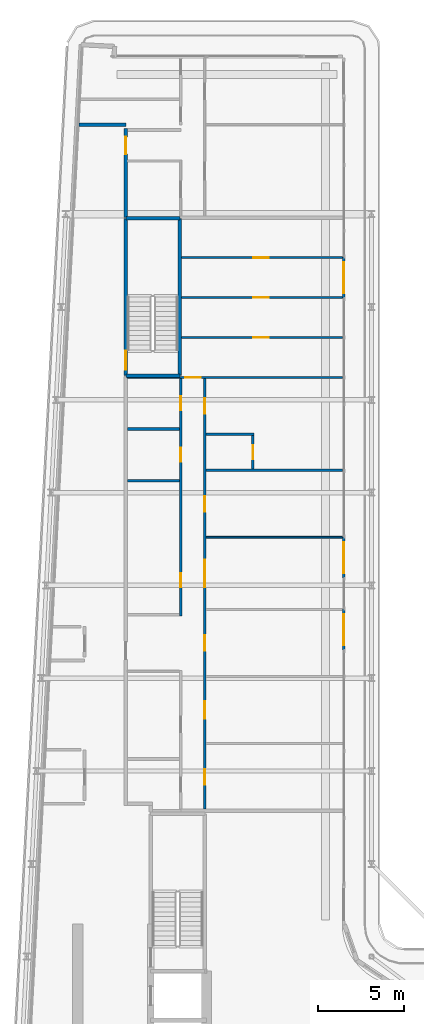
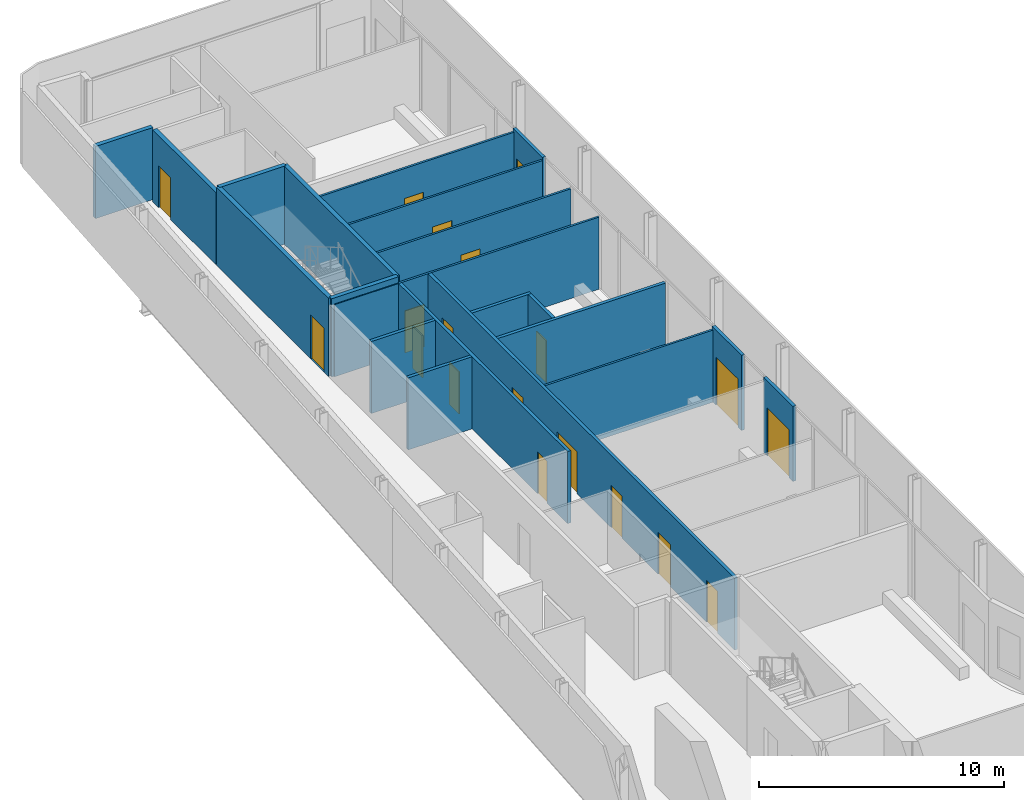
# One storey, part 14 of 21: 21 walls, 19 doors, 19 openings.
"""IFC4 building model written with IfcOpenShell, lengths in metres."""

from ifc_helpers import new_model, si_unit, direction, frame, frame_2d, origin, place, context, subcontext, project, spatial, rectangle, extrude, source, transform, mapped, material, layer, layer_set, type_object, element, fill, save


model = new_model("IFC4")

# Units and contexts
model_context = context("Model", 3, precision=1e-05, world=origin(), true_north=direction((0.0, 1.0)))
body_context = subcontext(model_context, "Body", "Model", "MODEL_VIEW")
ifc_project = project(units=[si_unit("LENGTHUNIT", "METRE"), si_unit("AREAUNIT", "SQUARE_METRE"), si_unit("VOLUMEUNIT", "CUBIC_METRE"), si_unit("PLANEANGLEUNIT", "RADIAN"), si_unit("MASSUNIT", "GRAM", prefix="KILO")], contexts=[model_context])

# Site, building, storey
site_placement = place(None, origin())
site = spatial("IfcSite", under=ifc_project, at=site_placement, CompositionType="ELEMENT")
building_placement = place(site_placement, origin())
building = spatial("IfcBuilding", under=site, at=building_placement, Name="Kheshtan School and Residences Tower", CompositionType="ELEMENT")
storey_placement = place(building_placement, frame((0.0, 0.0, 317.60009765625)))
storey = spatial("IfcBuildingStorey", under=building, at=storey_placement, Name="L75", CompositionType="ELEMENT", Elevation=317.60009765625)

# Wall
ifc_material_1 = material(Name="Gypsum board on steel studs with fire boards", Category="steel")
ifc_layer_1 = layer(ifc_material_1, 0.199951171875)
ifc_layer_set_1 = layer_set([ifc_layer_1], Name="Corridor wall 200")
wall_type_1 = type_object("IfcWallType", Name="Corridor wall 200", PredefinedType="PARTITIONING", material=ifc_layer_set_1)
wall_1_placement = place(storey_placement, frame((30.584716796875, 94.0, 0.0), z_axis=(0.0, 0.0, 1.0), x_axis=(1.0, 0.0, 0.0)))
element("IfcWall", 1, at=wall_1_placement, inside=storey, type_object=wall_type_1, Name="Partition L75-002", PredefinedType="PARTITIONING", context=body_context, shape_type="SweptSolid", body=[
    extrude(rectangle(XDim=2.71533203125, YDim=0.199951171875, at=frame_2d((1.357666015625, 0.0))), origin(), (0.0, 0.0, 1.0), 3.599853515625),
])

# Wall, opening, door
wall_2_placement = place(storey_placement, frame((33.300048828125, 88.60009765625, 0.0), z_axis=(0.0, 0.0, 1.0), x_axis=(0.0, 1.0, 0.0)))
wall_2 = element("IfcWall", 2, at=wall_2_placement, inside=storey, type_object=wall_type_1, Name="Partition L75-004", PredefinedType="PARTITIONING", context=body_context, shape_type="SweptSolid", body=[
    extrude(rectangle(XDim=5.1748046875, YDim=0.199951171875, at=frame_2d((2.58740234375, 0.0))), origin(), (0.0, 0.0, 1.0), 3.599853515625),
])
opening_1_placement = place(wall_2_placement, frame((3.699951171875, 0.0, 0.0)))
opening_1 = element("IfcOpeningElement", 3, at=opening_1_placement, cuts=wall_2, Name="Opening D75-028", PredefinedType="OPENING", context=body_context, shape_type="SweptSolid", body=[
    extrude(rectangle(XDim=1.0, YDim=2.10009765625, at=frame_2d((0.5, 1.050048828125))), frame((0.0, 0.10986328125, 0.0), z_axis=(0.0, -1.0, 0.0), x_axis=(1.0, 0.0, 0.0)), (0.0, 0.0, 1.0), 0.219970703125),
])
ifc_material_2 = material(Name="Steel-framed fire-resisting door leaf", Category="steel")
door_type_1 = type_object("IfcDoorType", Name="Fire door FD30S 1000 x 2100", OperationType="SINGLE_SWING_LEFT", PredefinedType="DOOR", material=ifc_material_2)
shared_shape_1 = source(origin(), body_context, "Body", "SweptSolid", [
    extrude(rectangle(XDim=1.0, YDim=2.10009765625, at=frame_2d((0.5, 1.050048828125))), frame((0.0, 0.02490234375, 0.0), z_axis=(0.0, -1.0, 0.0), x_axis=(1.0, 0.0, 0.0)), (0.0, 0.0, 1.0), 0.050048828125),
])
door_1_placement = place(opening_1_placement, origin())
door_1 = element("IfcDoor", 4, at=door_1_placement, inside=storey, type_object=door_type_1, Name="Door D75-028", OperationType="SINGLE_SWING_RIGHT", OverallHeight=2.10009765625, OverallWidth=1.0, PredefinedType="DOOR", context=body_context, shape_type="MappedRepresentation", body=[
    mapped(shared_shape_1, transform((0.0, 0.0, 0.0), x_axis=(1.0, 0.0, 0.0), y_axis=(0.0, 1.0, 0.0), z_axis=(0.0, 0.0, 1.0), scale=1.0)),
])
fill(opening_1, door_1)

ifc_material_3 = material(Name="Aluminium frame wall with insulated infill", Category="aluminium")
ifc_layer_2 = layer(ifc_material_3, 0.14990234375)
ifc_layer_set_2 = layer_set([ifc_layer_2], Name="Glazing frame wall 150")
wall_type_2 = type_object("IfcWallType", Name="Glazing frame wall 150", PredefinedType="SOLIDWALL", material=ifc_layer_set_2)
wall_3_placement = place(storey_placement, frame((45.97509765625, 86.305908203125, 0.0), z_axis=(0.0, 0.0, 1.0), x_axis=(0.0, -1.0, 0.0)))
wall_3 = element("IfcWall", 5, at=wall_3_placement, inside=storey, type_object=wall_type_2, Name="Balcony door wall L75 8.2", PredefinedType="SOLIDWALL", context=body_context, shape_type="SweptSolid", body=[
    extrude(rectangle(XDim=2.39990234375, YDim=0.14990234375, at=frame_2d((1.199951171875, 0.0))), origin(), (0.0, 0.0, 1.0), 3.75),
])
opening_2_placement = place(wall_3_placement, frame((0.300048828125, 0.0, 0.0)))
opening_2 = element("IfcOpeningElement", 6, at=opening_2_placement, cuts=wall_3, Name="Opening BD", PredefinedType="OPENING", context=body_context, shape_type="SweptSolid", body=[
    extrude(rectangle(XDim=1.800048828125, YDim=2.39990234375, at=frame_2d((0.89990234375, 1.199951171875))), frame((0.0, 0.0849609375, 0.0), z_axis=(0.0, -1.0, 0.0), x_axis=(1.0, 0.0, 0.0)), (0.0, 0.0, 1.0), 0.169921875),
])
ifc_material_4 = material(Name="Clear low-e glass in thermally broken aluminium frame", Category="aluminium")
door_type_2 = type_object("IfcDoorType", Name="Balcony sliding door", OperationType="SLIDING_TO_LEFT", PredefinedType="DOOR", material=ifc_material_4)
shared_shape_2 = source(origin(), body_context, "Body", "SweptSolid", [
    extrude(rectangle(XDim=1.800048828125, YDim=2.39990234375, at=frame_2d((0.89990234375, 1.199951171875))), frame((0.0, 0.02490234375, 0.0), z_axis=(0.0, -1.0, 0.0), x_axis=(1.0, 0.0, 0.0)), (0.0, 0.0, 1.0), 0.050048828125),
])
door_2_placement = place(opening_2_placement, origin())
door_2 = element("IfcDoor", 7, at=door_2_placement, inside=storey, type_object=door_type_2, Name="Balcony door L75 8.2", OperationType="SLIDING_TO_LEFT", OverallHeight=2.39990234375, OverallWidth=1.800048828125, PredefinedType="DOOR", context=body_context, shape_type="MappedRepresentation", body=[
    mapped(shared_shape_2, transform((0.0, 0.0, 0.0), x_axis=(1.0, 0.0, 0.0), y_axis=(0.0, 1.0, 0.0), z_axis=(0.0, 0.0, 1.0), scale=1.0)),
])
fill(opening_2, door_2)

wall_4_placement = place(storey_placement, frame((45.97509765625, 70.01806640625, 0.0), z_axis=(0.0, 0.0, 1.0), x_axis=(0.0, -1.0, 0.0)))
wall_4 = element("IfcWall", 8, at=wall_4_placement, inside=storey, type_object=wall_type_2, Name="Balcony door wall L75 8.3", PredefinedType="SOLIDWALL", context=body_context, shape_type="SweptSolid", body=[
    extrude(rectangle(XDim=2.400146484375, YDim=0.14990234375, at=frame_2d((1.2001953125, 0.0))), origin(), (0.0, 0.0, 1.0), 3.75),
])
opening_3_placement = place(wall_4_placement, frame((0.300048828125, 0.0, 0.0)))
opening_3 = element("IfcOpeningElement", 9, at=opening_3_placement, cuts=wall_4, Name="Opening BD", PredefinedType="OPENING", context=body_context, shape_type="SweptSolid", body=[
    extrude(rectangle(XDim=1.800048828125, YDim=2.39990234375, at=frame_2d((0.89990234375, 1.199951171875))), frame((0.0, 0.0849609375, 0.0), z_axis=(0.0, -1.0, 0.0), x_axis=(1.0, 0.0, 0.0)), (0.0, 0.0, 1.0), 0.169921875),
])
door_3_placement = place(opening_3_placement, origin())
door_3 = element("IfcDoor", 10, at=door_3_placement, inside=storey, type_object=door_type_2, Name="Balcony door L75 8.3", OperationType="SLIDING_TO_LEFT", OverallHeight=2.39990234375, OverallWidth=1.800048828125, PredefinedType="DOOR", context=body_context, shape_type="MappedRepresentation", body=[
    mapped(shared_shape_2, transform((0.0, 0.0, 0.0), x_axis=(1.0, 0.0, 0.0), y_axis=(0.0, 1.0, 0.0), z_axis=(0.0, 0.0, 1.0), scale=1.0)),
])
fill(opening_3, door_3)

wall_5_placement = place(storey_placement, frame((45.97509765625, 65.818115234375, 0.0), z_axis=(0.0, 0.0, 1.0), x_axis=(0.0, -1.0, 0.0)))
wall_5 = element("IfcWall", 11, at=wall_5_placement, inside=storey, type_object=wall_type_2, Name="Balcony door wall L75 8.4", PredefinedType="SOLIDWALL", context=body_context, shape_type="SweptSolid", body=[
    extrude(rectangle(XDim=2.400146484375, YDim=0.14990234375, at=frame_2d((1.2001953125, 0.0))), origin(), (0.0, 0.0, 1.0), 3.75),
])
opening_4_placement = place(wall_5_placement, frame((0.300048828125, 0.0, 0.0)))
opening_4 = element("IfcOpeningElement", 12, at=opening_4_placement, cuts=wall_5, Name="Opening BD", PredefinedType="OPENING", context=body_context, shape_type="SweptSolid", body=[
    extrude(rectangle(XDim=1.800048828125, YDim=2.39990234375, at=frame_2d((0.89990234375, 1.199951171875))), frame((0.0, 0.0849609375, 0.0), z_axis=(0.0, -1.0, 0.0), x_axis=(1.0, 0.0, 0.0)), (0.0, 0.0, 1.0), 0.169921875),
])
door_4_placement = place(opening_4_placement, origin())
door_4 = element("IfcDoor", 13, at=door_4_placement, inside=storey, type_object=door_type_2, Name="Balcony door L75 8.4", OperationType="SLIDING_TO_LEFT", OverallHeight=2.39990234375, OverallWidth=1.800048828125, PredefinedType="DOOR", context=body_context, shape_type="MappedRepresentation", body=[
    mapped(shared_shape_2, transform((0.0, 0.0, 0.0), x_axis=(1.0, 0.0, 0.0), y_axis=(0.0, 1.0, 0.0), z_axis=(0.0, 0.0, 1.0), scale=1.0)),
])
fill(opening_4, door_4)

ifc_material_5 = material(Name="Gypsum board on steel studs", Category="steel")
ifc_layer_3 = layer(ifc_material_5, 0.10009765625)
ifc_layer_set_3 = layer_set([ifc_layer_3], Name="Gypsum partition 100")
wall_type_3 = type_object("IfcWallType", Name="Gypsum partition 100", PredefinedType="PARTITIONING", material=ifc_layer_set_3)
wall_6_placement = place(storey_placement, frame((33.39990234375, 79.300048828125, 0.0), z_axis=(0.0, 0.0, 1.0), x_axis=(1.0, 0.0, 0.0)))
wall_6 = element("IfcWall", 14, at=wall_6_placement, inside=storey, type_object=wall_type_3, Name="Partition L75-011", PredefinedType="PARTITIONING", context=body_context, shape_type="SweptSolid", body=[
    extrude(rectangle(XDim=12.5, YDim=0.10009765625, at=frame_2d((6.25, 0.0))), origin(), (0.0, 0.0, 1.0), 3.599853515625),
])
opening_5_placement = place(wall_6_placement, frame((3.35498046875, 0.0, 0.0)))
opening_5 = element("IfcOpeningElement", 15, at=opening_5_placement, cuts=wall_6, Name="Opening D75-022", PredefinedType="OPENING", context=body_context, shape_type="SweptSolid", body=[
    extrude(rectangle(XDim=0.89990234375, YDim=2.10009765625, at=frame_2d((0.449951171875, 1.050048828125))), frame((0.0, 0.06005859375, 0.0), z_axis=(0.0, -1.0, 0.0), x_axis=(1.0, 0.0, 0.0)), (0.0, 0.0, 1.0), 0.1201171875),
])
ifc_material_6 = material(Name="Veneered timber door leaf", Category="wood")
door_type_3 = type_object("IfcDoorType", Name="Door 900 x 2100", OperationType="SINGLE_SWING_LEFT", PredefinedType="DOOR", material=ifc_material_6)
shared_shape_3 = source(origin(), body_context, "Body", "SweptSolid", [
    extrude(rectangle(XDim=0.89990234375, YDim=2.10009765625, at=frame_2d((0.449951171875, 1.050048828125))), frame((0.0, 0.02490234375, 0.0), z_axis=(0.0, -1.0, 0.0), x_axis=(1.0, 0.0, 0.0)), (0.0, 0.0, 1.0), 0.050048828125),
])
door_5_placement = place(opening_5_placement, origin())
door_5 = element("IfcDoor", 16, at=door_5_placement, inside=storey, type_object=door_type_3, Name="Door D75-022", OperationType="SINGLE_SWING_LEFT", OverallHeight=2.10009765625, OverallWidth=0.89990234375, PredefinedType="DOOR", context=body_context, shape_type="MappedRepresentation", body=[
    mapped(shared_shape_3, transform((0.0, 0.0, 0.0), x_axis=(1.0, 0.0, 0.0), y_axis=(0.0, 1.0, 0.0), z_axis=(0.0, 0.0, 1.0), scale=1.0)),
])
fill(opening_5, door_5)

wall_7_placement = place(storey_placement, frame((36.549072265625, 81.625, 0.0), z_axis=(0.0, 0.0, 1.0), x_axis=(1.0, 0.0, 0.0)))
wall_7 = element("IfcWall", 17, at=wall_7_placement, inside=storey, type_object=wall_type_3, Name="Partition L75-022", PredefinedType="PARTITIONING", context=body_context, shape_type="SweptSolid", body=[
    extrude(rectangle(XDim=9.350830078125, YDim=0.10009765625, at=frame_2d((4.67529296875, 0.0))), origin(), (0.0, 0.0, 1.0), 3.599853515625),
])
opening_6_placement = place(wall_7_placement, frame((4.176025390625, 0.0, 0.0)))
opening_6 = element("IfcOpeningElement", 18, at=opening_6_placement, cuts=wall_7, Name="Opening D75-023", PredefinedType="OPENING", context=body_context, shape_type="SweptSolid", body=[
    extrude(rectangle(XDim=0.89990234375, YDim=2.10009765625, at=frame_2d((0.449951171875, 1.050048828125))), frame((0.0, 0.06005859375, 0.0), z_axis=(0.0, -1.0, 0.0), x_axis=(1.0, 0.0, 0.0)), (0.0, 0.0, 1.0), 0.1201171875),
])
door_6_placement = place(opening_6_placement, origin())
door_6 = element("IfcDoor", 19, at=door_6_placement, inside=storey, type_object=door_type_3, Name="Door D75-023", OperationType="SINGLE_SWING_RIGHT", OverallHeight=2.10009765625, OverallWidth=0.89990234375, PredefinedType="DOOR", context=body_context, shape_type="MappedRepresentation", body=[
    mapped(shared_shape_3, transform((0.0, 0.0, 0.0), x_axis=(1.0, 0.0, 0.0), y_axis=(0.0, 1.0, 0.0), z_axis=(0.0, 0.0, 1.0), scale=1.0)),
])
fill(opening_6, door_6)

wall_8_placement = place(storey_placement, frame((36.549072265625, 83.949951171875, 0.0), z_axis=(0.0, 0.0, 1.0), x_axis=(1.0, 0.0, 0.0)))
wall_8 = element("IfcWall", 20, at=wall_8_placement, inside=storey, type_object=wall_type_3, Name="Partition L75-023", PredefinedType="PARTITIONING", context=body_context, shape_type="SweptSolid", body=[
    extrude(rectangle(XDim=9.350830078125, YDim=0.10009765625, at=frame_2d((4.67529296875, 0.0))), origin(), (0.0, 0.0, 1.0), 3.599853515625),
])
opening_7_placement = place(wall_8_placement, frame((4.176025390625, 0.0, 0.0)))
opening_7 = element("IfcOpeningElement", 21, at=opening_7_placement, cuts=wall_8, Name="Opening D75-024", PredefinedType="OPENING", context=body_context, shape_type="SweptSolid", body=[
    extrude(rectangle(XDim=0.89990234375, YDim=2.10009765625, at=frame_2d((0.449951171875, 1.050048828125))), frame((0.0, 0.06005859375, 0.0), z_axis=(0.0, -1.0, 0.0), x_axis=(1.0, 0.0, 0.0)), (0.0, 0.0, 1.0), 0.1201171875),
])
door_7_placement = place(opening_7_placement, origin())
door_7 = element("IfcDoor", 22, at=door_7_placement, inside=storey, type_object=door_type_3, Name="Door D75-024", OperationType="SINGLE_SWING_RIGHT", OverallHeight=2.10009765625, OverallWidth=0.89990234375, PredefinedType="DOOR", context=body_context, shape_type="MappedRepresentation", body=[
    mapped(shared_shape_3, transform((0.0, 0.0, 0.0), x_axis=(1.0, 0.0, 0.0), y_axis=(0.0, 1.0, 0.0), z_axis=(0.0, 0.0, 1.0), scale=1.0)),
])
fill(opening_7, door_7)

wall_9_placement = place(storey_placement, frame((36.549072265625, 86.27490234375, 0.0), z_axis=(0.0, 0.0, 1.0), x_axis=(1.0, 0.0, 0.0)))
wall_9 = element("IfcWall", 23, at=wall_9_placement, inside=storey, type_object=wall_type_3, Name="Partition L75-024", PredefinedType="PARTITIONING", context=body_context, shape_type="SweptSolid", body=[
    extrude(rectangle(XDim=9.350830078125, YDim=0.10009765625, at=frame_2d((4.67529296875, 0.0))), origin(), (0.0, 0.0, 1.0), 3.599853515625),
])
opening_8_placement = place(wall_9_placement, frame((4.176025390625, 0.0, 0.0)))
opening_8 = element("IfcOpeningElement", 24, at=opening_8_placement, cuts=wall_9, Name="Opening D75-025", PredefinedType="OPENING", context=body_context, shape_type="SweptSolid", body=[
    extrude(rectangle(XDim=0.89990234375, YDim=2.10009765625, at=frame_2d((0.449951171875, 1.050048828125))), frame((0.0, 0.06005859375, 0.0), z_axis=(0.0, -1.0, 0.0), x_axis=(1.0, 0.0, 0.0)), (0.0, 0.0, 1.0), 0.1201171875),
])
door_8_placement = place(opening_8_placement, origin())
door_8 = element("IfcDoor", 25, at=door_8_placement, inside=storey, type_object=door_type_3, Name="Door D75-025", OperationType="SINGLE_SWING_RIGHT", OverallHeight=2.10009765625, OverallWidth=0.89990234375, PredefinedType="DOOR", context=body_context, shape_type="MappedRepresentation", body=[
    mapped(shared_shape_3, transform((0.0, 0.0, 0.0), x_axis=(1.0, 0.0, 0.0), y_axis=(0.0, 1.0, 0.0), z_axis=(0.0, 0.0, 1.0), scale=1.0)),
])
fill(opening_8, door_8)

# Walls
wall_10_placement = place(storey_placement, frame((37.97509765625, 70.0, 0.0), z_axis=(0.0, 0.0, 1.0), x_axis=(1.0, 0.0, 0.0)))
element("IfcWall", 26, at=wall_10_placement, inside=storey, type_object=wall_type_3, Name="Partition L75-031", PredefinedType="PARTITIONING", context=body_context, shape_type="SweptSolid", body=[
    extrude(rectangle(XDim=7.9248046875, YDim=0.10009765625, at=frame_2d((3.96240234375, 0.0))), origin(), (0.0, 0.0, 1.0), 3.599853515625),
])
ifc_material_7 = material(Name="Concrete C40/50", Category="concrete")
ifc_layer_4 = layer(ifc_material_7, 0.199951171875)
ifc_layer_set_4 = layer_set([ifc_layer_4], Name="Stair enclosure wall 200 Concrete C40/50")
wall_type_4 = type_object("IfcWallType", Name="Stair enclosure wall 200 Concrete C40/50", PredefinedType="SHEAR", material=ifc_layer_set_4)
for number, where, z_axis, x_axis, name in (
    (27, (33.300048828125, 79.39990234375, 0.0), (0.0, 0.0, 1.0), (1.0, 0.0, 0.0), "Stair enclosure wall ST3"),
    (28, (33.300048828125, 88.56005859375, 0.0), (0.0, 0.0, 1.0), (1.0, 0.0, 0.0), "Stair enclosure wall ST3"),
):
    element("IfcWall", number, at=place(storey_placement, frame(where, z_axis=z_axis, x_axis=x_axis)), inside=storey, type_object=wall_type_4, Name=name, PredefinedType="SHEAR", context=body_context, shape_type="SweptSolid", body=[
        extrude(rectangle(XDim=3.14990234375, YDim=0.199951171875, at=frame_2d((1.574951171875, 0.0))), origin(), (0.0, 0.0, 1.0), 3.89990234375),
    ])

# Wall, opening, door
wall_11_placement = place(storey_placement, frame((33.300048828125, 79.39990234375, 0.0), z_axis=(0.0, 0.0, 1.0), x_axis=(0.0, 1.0, 0.0)))
wall_11 = element("IfcWall", 29, at=wall_11_placement, inside=storey, type_object=wall_type_4, Name="Stair enclosure wall ST3", PredefinedType="SHEAR", context=body_context, shape_type="SweptSolid", body=[
    extrude(rectangle(XDim=9.16015625, YDim=0.199951171875, at=frame_2d((4.580078125, 0.0))), origin(), (0.0, 0.0, 1.0), 3.89990234375),
])
opening_9_placement = place(wall_11_placement, frame((0.35009765625, 0.0, 0.0)))
opening_9 = element("IfcOpeningElement", 30, at=opening_9_placement, cuts=wall_11, Name="Opening ST3D", PredefinedType="OPENING", context=body_context, shape_type="SweptSolid", body=[
    extrude(rectangle(XDim=1.10009765625, YDim=2.199951171875, at=frame_2d((0.550048828125, 1.10009765625))), frame((0.0, 0.10986328125, 0.0), z_axis=(0.0, -1.0, 0.0), x_axis=(1.0, 0.0, 0.0)), (0.0, 0.0, 1.0), 0.219970703125),
])
ifc_material_8 = material(Name="Steel door leaf, galvanised", Category="steel")
door_type_4 = type_object("IfcDoorType", Name="Stair door 1100 steel 90 min", OperationType="SINGLE_SWING_LEFT", PredefinedType="DOOR", material=ifc_material_8)
shared_shape_4 = source(origin(), body_context, "Body", "SweptSolid", [
    extrude(rectangle(XDim=1.10009765625, YDim=2.199951171875, at=frame_2d((0.550048828125, 1.10009765625))), frame((0.0, 0.02490234375, 0.0), z_axis=(0.0, -1.0, 0.0), x_axis=(1.0, 0.0, 0.0)), (0.0, 0.0, 1.0), 0.050048828125),
])
door_9_placement = place(opening_9_placement, origin())
door_9 = element("IfcDoor", 31, at=door_9_placement, inside=storey, type_object=door_type_4, Name="Stair ST3 door", OperationType="SINGLE_SWING_RIGHT", OverallHeight=2.199951171875, OverallWidth=1.10009765625, PredefinedType="DOOR", context=body_context, shape_type="MappedRepresentation", body=[
    mapped(shared_shape_4, transform((0.0, 0.0, 0.0), x_axis=(1.0, 0.0, 0.0), y_axis=(0.0, 1.0, 0.0), z_axis=(0.0, 0.0, 1.0), scale=1.0)),
])
fill(opening_9, door_9)

# Walls
wall_12_placement = place(storey_placement, frame((36.449951171875, 79.39990234375, 0.0), z_axis=(0.0, 0.0, 1.0), x_axis=(0.0, 1.0, 0.0)))
element("IfcWall", 32, at=wall_12_placement, inside=storey, type_object=wall_type_4, Name="Stair enclosure wall ST3", PredefinedType="SHEAR", context=body_context, shape_type="SweptSolid", body=[
    extrude(rectangle(XDim=9.16015625, YDim=0.199951171875, at=frame_2d((4.580078125, 0.0))), origin(), (0.0, 0.0, 1.0), 3.89990234375),
])
ifc_material_9 = material(Name="Moisture-resistant gypsum board on steel studs", Category="steel")
ifc_layer_5 = layer(ifc_material_9, 0.14990234375)
ifc_layer_set_5 = layer_set([ifc_layer_5], Name="Wet-room partition 150")
wall_type_5 = type_object("IfcWallType", Name="Wet-room partition 150", PredefinedType="PARTITIONING", material=ifc_layer_set_5)
for number, where, z_axis, x_axis, name in (
    (33, (33.39990234375, 73.300048828125, 0.0), (0.0, 0.0, 1.0), (1.0, 0.0, 0.0), "Partition L75-009"),
    (34, (33.39990234375, 76.300048828125, 0.0), (0.0, 0.0, 1.0), (1.0, 0.0, 0.0), "Partition L75-010"),
):
    element("IfcWall", number, at=place(storey_placement, frame(where, z_axis=z_axis, x_axis=x_axis)), inside=storey, type_object=wall_type_5, Name=name, PredefinedType="PARTITIONING", context=body_context, shape_type="SweptSolid", body=[
        extrude(rectangle(XDim=3.025146484375, YDim=0.14990234375, at=frame_2d((1.5126953125, 0.0))), origin(), (0.0, 0.0, 1.0), 3.599853515625),
    ])

# Wall, openings, doors
wall_13_placement = place(storey_placement, frame((36.5, 65.425048828125, 0.0), z_axis=(0.0, 0.0, 1.0), x_axis=(0.0, 1.0, 0.0)))
wall_13 = element("IfcWall", 35, at=wall_13_placement, inside=storey, type_object=wall_type_5, Name="Partition L75-019", PredefinedType="PARTITIONING", context=body_context, shape_type="SweptSolid", body=[
    extrude(rectangle(XDim=13.824951171875, YDim=0.14990234375, at=frame_2d((6.91259765625, 0.0))), origin(), (0.0, 0.0, 1.0), 3.599853515625),
])
opening_10_placement = place(wall_13_placement, frame((8.97509765625, 0.0, 0.0)))
opening_10 = element("IfcOpeningElement", 36, at=opening_10_placement, cuts=wall_13, Name="Opening D75-010", PredefinedType="OPENING", context=body_context, shape_type="SweptSolid", body=[
    extrude(rectangle(XDim=0.800048828125, YDim=2.10009765625, at=frame_2d((0.39990234375, 1.050048828125))), frame((0.0, 0.0849609375, 0.0), z_axis=(0.0, -1.0, 0.0), x_axis=(1.0, 0.0, 0.0)), (0.0, 0.0, 1.0), 0.169921875),
])
opening_11_placement = place(wall_13_placement, frame((11.97509765625, 0.0, 0.0)))
opening_11 = element("IfcOpeningElement", 37, at=opening_11_placement, cuts=wall_13, Name="Opening D75-014", PredefinedType="OPENING", context=body_context, shape_type="SweptSolid", body=[
    extrude(rectangle(XDim=0.800048828125, YDim=2.10009765625, at=frame_2d((0.39990234375, 1.050048828125))), frame((0.0, 0.0849609375, 0.0), z_axis=(0.0, -1.0, 0.0), x_axis=(1.0, 0.0, 0.0)), (0.0, 0.0, 1.0), 0.169921875),
])
opening_12_placement = place(wall_13_placement, frame((1.675048828125, 0.0, 0.0)))
opening_12 = element("IfcOpeningElement", 38, at=opening_12_placement, cuts=wall_13, Name="Opening D75-021", PredefinedType="OPENING", context=body_context, shape_type="SweptSolid", body=[
    extrude(rectangle(XDim=0.800048828125, YDim=2.10009765625, at=frame_2d((0.39990234375, 1.050048828125))), frame((0.0, 0.0849609375, 0.0), z_axis=(0.0, -1.0, 0.0), x_axis=(1.0, 0.0, 0.0)), (0.0, 0.0, 1.0), 0.169921875),
])
door_type_5 = type_object("IfcDoorType", Name="Door 800 x 2100", OperationType="SINGLE_SWING_LEFT", PredefinedType="DOOR", material=ifc_material_6)
shared_shape_5 = source(origin(), body_context, "Body", "SweptSolid", [
    extrude(rectangle(XDim=0.800048828125, YDim=2.10009765625, at=frame_2d((0.39990234375, 1.050048828125))), frame((0.0, 0.02490234375, 0.0), z_axis=(0.0, -1.0, 0.0), x_axis=(1.0, 0.0, 0.0)), (0.0, 0.0, 1.0), 0.050048828125),
])
door_10_placement = place(opening_10_placement, origin())
door_10 = element("IfcDoor", 39, at=door_10_placement, inside=storey, type_object=door_type_5, Name="Door D75-010", OperationType="SINGLE_SWING_RIGHT", OverallHeight=2.10009765625, OverallWidth=0.800048828125, PredefinedType="DOOR", context=body_context, shape_type="MappedRepresentation", body=[
    mapped(shared_shape_5, transform((0.0, 0.0, 0.0), x_axis=(1.0, 0.0, 0.0), y_axis=(0.0, 1.0, 0.0), z_axis=(0.0, 0.0, 1.0), scale=1.0)),
])
fill(opening_10, door_10)
door_11_placement = place(opening_11_placement, origin())
door_11 = element("IfcDoor", 40, at=door_11_placement, inside=storey, type_object=door_type_5, Name="Door D75-014", OperationType="SINGLE_SWING_RIGHT", OverallHeight=2.10009765625, OverallWidth=0.800048828125, PredefinedType="DOOR", context=body_context, shape_type="MappedRepresentation", body=[
    mapped(shared_shape_5, transform((0.0, 0.0, 0.0), x_axis=(1.0, 0.0, 0.0), y_axis=(0.0, 1.0, 0.0), z_axis=(0.0, 0.0, 1.0), scale=1.0)),
])
fill(opening_11, door_11)
door_12_placement = place(opening_12_placement, origin())
door_12 = element("IfcDoor", 41, at=door_12_placement, inside=storey, type_object=door_type_5, Name="Door D75-021", OperationType="SINGLE_SWING_LEFT", OverallHeight=2.10009765625, OverallWidth=0.800048828125, PredefinedType="DOOR", context=body_context, shape_type="MappedRepresentation", body=[
    mapped(shared_shape_5, transform((0.0, 0.0, 0.0), x_axis=(1.0, 0.0, 0.0), y_axis=(0.0, 1.0, 0.0), z_axis=(0.0, 0.0, 1.0), scale=1.0)),
])
fill(opening_12, door_12)

wall_14_placement = place(storey_placement, frame((37.89990234375, 54.199951171875, 0.0), z_axis=(0.0, 0.0, 1.0), x_axis=(0.0, 1.0, 0.0)))
wall_14 = element("IfcWall", 42, at=wall_14_placement, inside=storey, type_object=wall_type_5, Name="Partition L75-025", PredefinedType="PARTITIONING", context=body_context, shape_type="SweptSolid", body=[
    extrude(rectangle(XDim=25.050048828125, YDim=0.14990234375, at=frame_2d((12.52490234375, 0.0))), origin(), (0.0, 0.0, 1.0), 3.599853515625),
])
opening_13_placement = place(wall_14_placement, frame((1.39990234375, 0.0, 0.0)))
opening_13 = element("IfcOpeningElement", 43, at=opening_13_placement, cuts=wall_14, Name="Opening D75-011", PredefinedType="OPENING", context=body_context, shape_type="SweptSolid", body=[
    extrude(rectangle(XDim=0.89990234375, YDim=2.10009765625, at=frame_2d((0.449951171875, 1.050048828125))), frame((0.0, 0.0849609375, 0.0), z_axis=(0.0, -1.0, 0.0), x_axis=(1.0, 0.0, 0.0)), (0.0, 0.0, 1.0), 0.169921875),
])
opening_14_placement = place(wall_14_placement, frame((9.199951171875, 0.0, 0.0)))
opening_14 = element("IfcOpeningElement", 44, at=opening_14_placement, cuts=wall_14, Name="Opening D75-012", PredefinedType="OPENING", context=body_context, shape_type="SweptSolid", body=[
    extrude(rectangle(XDim=0.89990234375, YDim=2.10009765625, at=frame_2d((0.449951171875, 1.050048828125))), frame((0.0, 0.0849609375, 0.0), z_axis=(0.0, -1.0, 0.0), x_axis=(1.0, 0.0, 0.0)), (0.0, 0.0, 1.0), 0.169921875),
])
opening_15_placement = place(wall_14_placement, frame((17.300048828125, 0.0, 0.0)))
opening_15 = element("IfcOpeningElement", 45, at=opening_15_placement, cuts=wall_14, Name="Opening D75-013", PredefinedType="OPENING", context=body_context, shape_type="SweptSolid", body=[
    extrude(rectangle(XDim=0.89990234375, YDim=2.10009765625, at=frame_2d((0.449951171875, 1.050048828125))), frame((0.0, 0.0849609375, 0.0), z_axis=(0.0, -1.0, 0.0), x_axis=(1.0, 0.0, 0.0)), (0.0, 0.0, 1.0), 0.169921875),
])
opening_16_placement = place(wall_14_placement, frame((5.25, 0.0, 0.0)))
opening_16 = element("IfcOpeningElement", 46, at=opening_16_placement, cuts=wall_14, Name="Opening D75-018", PredefinedType="OPENING", context=body_context, shape_type="SweptSolid", body=[
    extrude(rectangle(XDim=1.0, YDim=2.10009765625, at=frame_2d((0.5, 1.050048828125))), frame((0.0, 0.0849609375, 0.0), z_axis=(0.0, -1.0, 0.0), x_axis=(1.0, 0.0, 0.0)), (0.0, 0.0, 1.0), 0.169921875),
])
opening_17_placement = place(wall_14_placement, frame((12.89990234375, 0.0, 0.0)))
opening_17 = element("IfcOpeningElement", 47, at=opening_17_placement, cuts=wall_14, Name="Opening D75-019", PredefinedType="OPENING", context=body_context, shape_type="SweptSolid", body=[
    extrude(rectangle(XDim=1.60009765625, YDim=2.10009765625, at=frame_2d((0.800048828125, 1.050048828125))), frame((0.0, 0.0849609375, 0.0), z_axis=(0.0, -1.0, 0.0), x_axis=(1.0, 0.0, 0.0)), (0.0, 0.0, 1.0), 0.169921875),
])
opening_18_placement = place(wall_14_placement, frame((23.0, 0.0, 0.0)))
opening_18 = element("IfcOpeningElement", 48, at=opening_18_placement, cuts=wall_14, Name="Opening D75-020", PredefinedType="OPENING", context=body_context, shape_type="SweptSolid", body=[
    extrude(rectangle(XDim=0.89990234375, YDim=2.10009765625, at=frame_2d((0.449951171875, 1.050048828125))), frame((0.0, 0.0849609375, 0.0), z_axis=(0.0, -1.0, 0.0), x_axis=(1.0, 0.0, 0.0)), (0.0, 0.0, 1.0), 0.169921875),
])
door_type_6 = type_object("IfcDoorType", Name="Door 1000 x 2100", OperationType="SINGLE_SWING_LEFT", PredefinedType="DOOR", material=ifc_material_6)
shared_shape_6 = source(origin(), body_context, "Body", "SweptSolid", [
    extrude(rectangle(XDim=1.0, YDim=2.10009765625, at=frame_2d((0.5, 1.050048828125))), frame((0.0, 0.02490234375, 0.0), z_axis=(0.0, -1.0, 0.0), x_axis=(1.0, 0.0, 0.0)), (0.0, 0.0, 1.0), 0.050048828125),
])
door_13_placement = place(opening_16_placement, origin())
door_13 = element("IfcDoor", 49, at=door_13_placement, inside=storey, type_object=door_type_6, Name="Door D75-018", OperationType="SINGLE_SWING_LEFT", OverallHeight=2.10009765625, OverallWidth=1.0, PredefinedType="DOOR", context=body_context, shape_type="MappedRepresentation", body=[
    mapped(shared_shape_6, transform((0.0, 0.0, 0.0), x_axis=(1.0, 0.0, 0.0), y_axis=(0.0, 1.0, 0.0), z_axis=(0.0, 0.0, 1.0), scale=1.0)),
])
fill(opening_16, door_13)
door_14_placement = place(opening_13_placement, origin())
door_14 = element("IfcDoor", 50, at=door_14_placement, inside=storey, type_object=door_type_3, Name="Door D75-011", OperationType="SINGLE_SWING_RIGHT", OverallHeight=2.10009765625, OverallWidth=0.89990234375, PredefinedType="DOOR", context=body_context, shape_type="MappedRepresentation", body=[
    mapped(shared_shape_3, transform((0.0, 0.0, 0.0), x_axis=(1.0, 0.0, 0.0), y_axis=(0.0, 1.0, 0.0), z_axis=(0.0, 0.0, 1.0), scale=1.0)),
])
fill(opening_13, door_14)
door_15_placement = place(opening_14_placement, origin())
door_15 = element("IfcDoor", 51, at=door_15_placement, inside=storey, type_object=door_type_3, Name="Door D75-012", OperationType="SINGLE_SWING_LEFT", OverallHeight=2.10009765625, OverallWidth=0.89990234375, PredefinedType="DOOR", context=body_context, shape_type="MappedRepresentation", body=[
    mapped(shared_shape_3, transform((0.0, 0.0, 0.0), x_axis=(1.0, 0.0, 0.0), y_axis=(0.0, 1.0, 0.0), z_axis=(0.0, 0.0, 1.0), scale=1.0)),
])
fill(opening_14, door_15)
door_16_placement = place(opening_15_placement, origin())
door_16 = element("IfcDoor", 52, at=door_16_placement, inside=storey, type_object=door_type_3, Name="Door D75-013", OperationType="SINGLE_SWING_RIGHT", OverallHeight=2.10009765625, OverallWidth=0.89990234375, PredefinedType="DOOR", context=body_context, shape_type="MappedRepresentation", body=[
    mapped(shared_shape_3, transform((0.0, 0.0, 0.0), x_axis=(1.0, 0.0, 0.0), y_axis=(0.0, 1.0, 0.0), z_axis=(0.0, 0.0, 1.0), scale=1.0)),
])
fill(opening_15, door_16)
door_17_placement = place(opening_18_placement, origin())
door_17 = element("IfcDoor", 53, at=door_17_placement, inside=storey, type_object=door_type_3, Name="Door D75-020", OperationType="SINGLE_SWING_LEFT", OverallHeight=2.10009765625, OverallWidth=0.89990234375, PredefinedType="DOOR", context=body_context, shape_type="MappedRepresentation", body=[
    mapped(shared_shape_3, transform((0.0, 0.0, 0.0), x_axis=(1.0, 0.0, 0.0), y_axis=(0.0, 1.0, 0.0), z_axis=(0.0, 0.0, 1.0), scale=1.0)),
])
fill(opening_18, door_17)
door_type_7 = type_object("IfcDoorType", Name="Double door 1600 x 2100", OperationType="DOUBLE_DOOR_SINGLE_SWING", PredefinedType="DOOR", material=ifc_material_6)
shared_shape_7 = source(origin(), body_context, "Body", "SweptSolid", [
    extrude(rectangle(XDim=1.60009765625, YDim=2.10009765625, at=frame_2d((0.800048828125, 1.050048828125))), frame((0.0, 0.02490234375, 0.0), z_axis=(0.0, -1.0, 0.0), x_axis=(1.0, 0.0, 0.0)), (0.0, 0.0, 1.0), 0.050048828125),
])
door_18_placement = place(opening_17_placement, origin())
door_18 = element("IfcDoor", 54, at=door_18_placement, inside=storey, type_object=door_type_7, Name="Door D75-019", OperationType="DOUBLE_DOOR_SINGLE_SWING", OverallHeight=2.10009765625, OverallWidth=1.60009765625, PredefinedType="DOOR", context=body_context, shape_type="MappedRepresentation", body=[
    mapped(shared_shape_7, transform((0.0, 0.0, 0.0), x_axis=(1.0, 0.0, 0.0), y_axis=(0.0, 1.0, 0.0), z_axis=(0.0, 0.0, 1.0), scale=1.0)),
])
fill(opening_17, door_18)

# Walls
wall_15_placement = place(storey_placement, frame((37.97509765625, 73.89990234375, 0.0), z_axis=(0.0, 0.0, 1.0), x_axis=(1.0, 0.0, 0.0)))
element("IfcWall", 55, at=wall_15_placement, inside=storey, type_object=wall_type_5, Name="Partition L75-032", PredefinedType="PARTITIONING", context=body_context, shape_type="SweptSolid", body=[
    extrude(rectangle(XDim=7.9248046875, YDim=0.14990234375, at=frame_2d((3.96240234375, 0.0))), origin(), (0.0, 0.0, 1.0), 3.599853515625),
])
wall_16_placement = place(storey_placement, frame((37.97509765625, 76.0, 0.0), z_axis=(0.0, 0.0, 1.0), x_axis=(1.0, 0.0, 0.0)))
element("IfcWall", 56, at=wall_16_placement, inside=storey, type_object=wall_type_5, Name="Partition L75-033", PredefinedType="PARTITIONING", context=body_context, shape_type="SweptSolid", body=[
    extrude(rectangle(XDim=2.7998046875, YDim=0.14990234375, at=frame_2d((1.39990234375, 0.0))), origin(), (0.0, 0.0, 1.0), 3.599853515625),
])

# Wall, opening, door
wall_17_placement = place(storey_placement, frame((40.699951171875, 73.97509765625, 0.0), z_axis=(0.0, 0.0, 1.0), x_axis=(0.0, 1.0, 0.0)))
wall_17 = element("IfcWall", 57, at=wall_17_placement, inside=storey, type_object=wall_type_5, Name="Partition L75-035", PredefinedType="PARTITIONING", context=body_context, shape_type="SweptSolid", body=[
    extrude(rectangle(XDim=1.949951171875, YDim=0.14990234375, at=frame_2d((0.97509765625, 0.0))), origin(), (0.0, 0.0, 1.0), 3.599853515625),
])
opening_19_placement = place(wall_17_placement, frame((0.574951171875, 0.0, 0.0)))
opening_19 = element("IfcOpeningElement", 58, at=opening_19_placement, cuts=wall_17, Name="Opening D75-015", PredefinedType="OPENING", context=body_context, shape_type="SweptSolid", body=[
    extrude(rectangle(XDim=0.800048828125, YDim=2.10009765625, at=frame_2d((0.39990234375, 1.050048828125))), frame((0.0, 0.0849609375, 0.0), z_axis=(0.0, -1.0, 0.0), x_axis=(1.0, 0.0, 0.0)), (0.0, 0.0, 1.0), 0.169921875),
])
door_19_placement = place(opening_19_placement, origin())
door_19 = element("IfcDoor", 59, at=door_19_placement, inside=storey, type_object=door_type_5, Name="Door D75-015", OperationType="SINGLE_SWING_RIGHT", OverallHeight=2.10009765625, OverallWidth=0.800048828125, PredefinedType="DOOR", context=body_context, shape_type="MappedRepresentation", body=[
    mapped(shared_shape_5, transform((0.0, 0.0, 0.0), x_axis=(1.0, 0.0, 0.0), y_axis=(0.0, 1.0, 0.0), z_axis=(0.0, 0.0, 1.0), scale=1.0)),
])
fill(opening_19, door_19)

save(model, "model.ifc")
